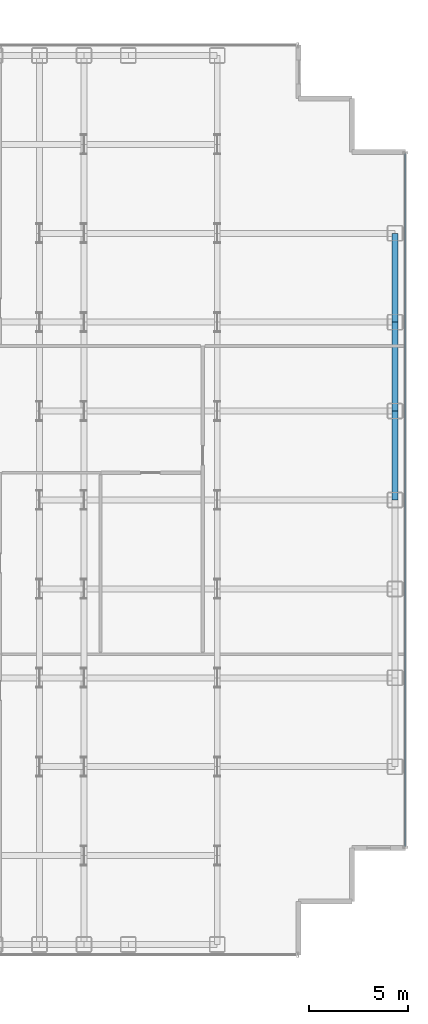
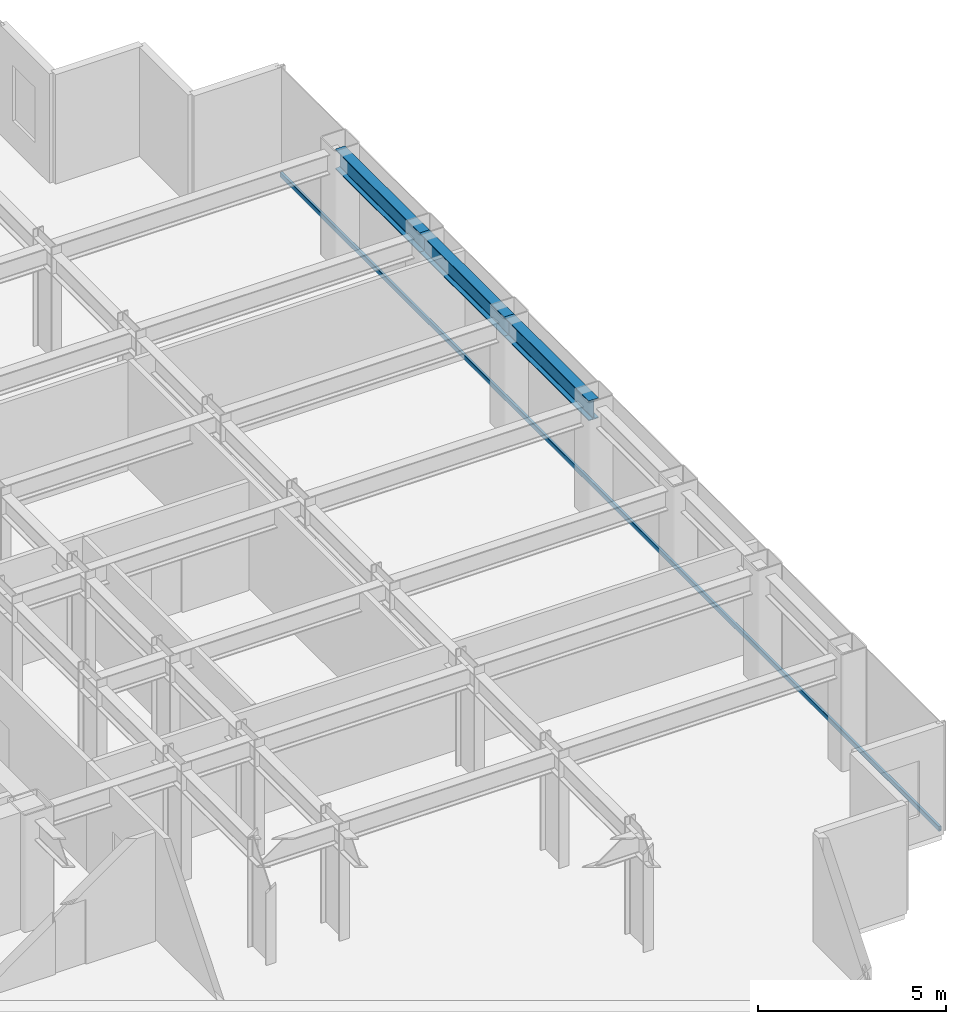
# One storey, part 17 of 26: 3 beams, 1 member, 1 element without a shape of its own.
"""IFC4 building model written with IfcOpenShell, lengths in metres."""

from ifc_helpers import new_model, si_unit, direction, frame, origin, origin_2d, place, context, subcontext, project, spatial, hollow_rectangle, i_section, extrude, source, transform, mapped, material, layer, layer_set, material_profile, profile_set, type_object, element, aggregate, save


model = new_model("IFC4")

# Units and contexts
model_context = context("Model", 3, precision=1e-05, world=origin(), true_north=direction((0.0, 1.0)))
body_context = subcontext(model_context, "Body", "Model", "MODEL_VIEW")
ifc_project = project(units=[si_unit("LENGTHUNIT", "METRE"), si_unit("AREAUNIT", "SQUARE_METRE"), si_unit("VOLUMEUNIT", "CUBIC_METRE"), si_unit("PLANEANGLEUNIT", "RADIAN"), si_unit("MASSUNIT", "GRAM", prefix="KILO")], contexts=[model_context])

# Site, building, storey
site_placement = place(None, origin())
site = spatial("IfcSite", under=ifc_project, at=site_placement, CompositionType="ELEMENT")
building_placement = place(site_placement, origin())
building = spatial("IfcBuilding", under=site, at=building_placement, Name="Nefas-Gora Pilgrimage Tower", CompositionType="ELEMENT")
storey_placement = place(building_placement, frame((0.0, 0.0, 121.199951171875)))
storey = spatial("IfcBuildingStorey", under=building, at=storey_placement, Name="L29", CompositionType="ELEMENT", Elevation=121.199951171875)

# Beams
ifc_material_1 = material(Name="Steel S355", Category="steel")
ifc_material_profile_1 = material_profile(ifc_material_1, i_section(OverallWidth=0.300048828125, OverallDepth=0.64990234375, WebThickness=0.01611328125, FlangeThickness=0.031005859375, FilletRadius=0.027099609375, at=origin_2d()), Name="HEB 650")
ifc_profile_set_1 = profile_set([ifc_material_profile_1], Name="Steel S355")
beam_type = type_object("IfcBeamType", Name="BM-SPN-HEB500", PredefinedType="SPANDREL", material=ifc_profile_set_1)
shared_shape_1 = source(origin(), body_context, "Body", "SweptSolid", [
    extrude(i_section(OverallWidth=0.300048828125, OverallDepth=0.64990234375, WebThickness=0.01611328125, FlangeThickness=0.031005859375, FilletRadius=0.027099609375, at=origin_2d()), origin(), (0.0, 0.0, 1.0), 4.5),
])
for number, where, z_axis, x_axis, name in (
    (1, (33.75, 0.0, 3.22509765625), (0.0, 1.0, 0.0), (-1.0, 0.0, 0.0), "L29 SP-02 beam"),
    (2, (33.75, 4.5, 3.22509765625), (0.0, 1.0, 0.0), (-1.0, 0.0, 0.0), "L29 SP-02 beam"),
    (3, (33.75, 9.0, 3.22509765625), (0.0, 1.0, 0.0), (-1.0, 0.0, 0.0), "L29 SP-02 beam"),
):
    element("IfcBeam", number, at=place(storey_placement, frame(where, z_axis=z_axis, x_axis=x_axis)), inside=storey, type_object=beam_type, Name=name, PredefinedType="SPANDREL", context=body_context, shape_type="MappedRepresentation", body=[
        mapped(shared_shape_1, transform((0.0, 0.0, 0.0), x_axis=(1.0, 0.0, 0.0), y_axis=(0.0, 1.0, 0.0), z_axis=(0.0, 0.0, 1.0), scale=1.0)),
    ])

# Curtain wall, member
ifc_material_2 = material(Name="Dark ceramic-fritted solar-control aluminium-glass curtain wall", Category="aluminium")
ifc_layer = layer(ifc_material_2, 0.219970703125)
ifc_layer_set = layer_set([ifc_layer], Name="Dark ceramic-fritted solar-control aluminium-glass curtain wall")
curtain_wall_type = type_object("IfcCurtainWallType", Name="CW-SYS-2", PredefinedType="NOTDEFINED", material=ifc_layer_set)
curtain_wall_placement = place(storey_placement, origin())
curtain_wall = element("IfcCurtainWall", 4, at=curtain_wall_placement, inside=storey, type_object=curtain_wall_type, Name="L29 Unitised Curtain Wall CW2", PredefinedType="NOTDEFINED")
ifc_material_3 = material(Name="Anodised architectural aluminium", Category="aluminium")
ifc_material_profile_2 = material_profile(ifc_material_3, hollow_rectangle(XDim=0.080078125, YDim=0.159912109375, WallThickness=0.00439453125, InnerFilletRadius=0.00439453125, OuterFilletRadius=0.009033203125, at=origin_2d()), Name="ALU TRANSOM 80x160")
ifc_profile_set_2 = profile_set([ifc_material_profile_2], Name="Anodised architectural aluminium")
member_type = type_object("IfcMemberType", Name="CWM-TRN-2", PredefinedType="USERDEFINED", material=ifc_profile_set_2)
shared_shape_2 = source(origin(), body_context, "Body", "SweptSolid", [
    extrude(hollow_rectangle(XDim=0.080078125, YDim=0.159912109375, WallThickness=0.00439453125, InnerFilletRadius=0.00439453125, OuterFilletRadius=0.009033203125, at=origin_2d()), origin(), (0.0, 0.0, 1.0), 35.06005859375),
])
member_placement = place(storey_placement, frame((34.27001953125, -17.530029296875, 0.050048828125), z_axis=(0.0, 1.0, 0.0), x_axis=(-1.0, 0.0, 0.0)))
member = element("IfcMember", 5, at=member_placement, type_object=member_type, Name="CW2 Spandrel Transom", ObjectType="TRANSOM", PredefinedType="USERDEFINED", context=body_context, shape_type="MappedRepresentation", body=[
    mapped(shared_shape_2, transform((0.0, 0.0, 0.0), x_axis=(1.0, 0.0, 0.0), y_axis=(0.0, 1.0, 0.0), z_axis=(0.0, 0.0, 1.0), scale=1.0)),
])
aggregate(curtain_wall, [member])

save(model, "model.ifc")
